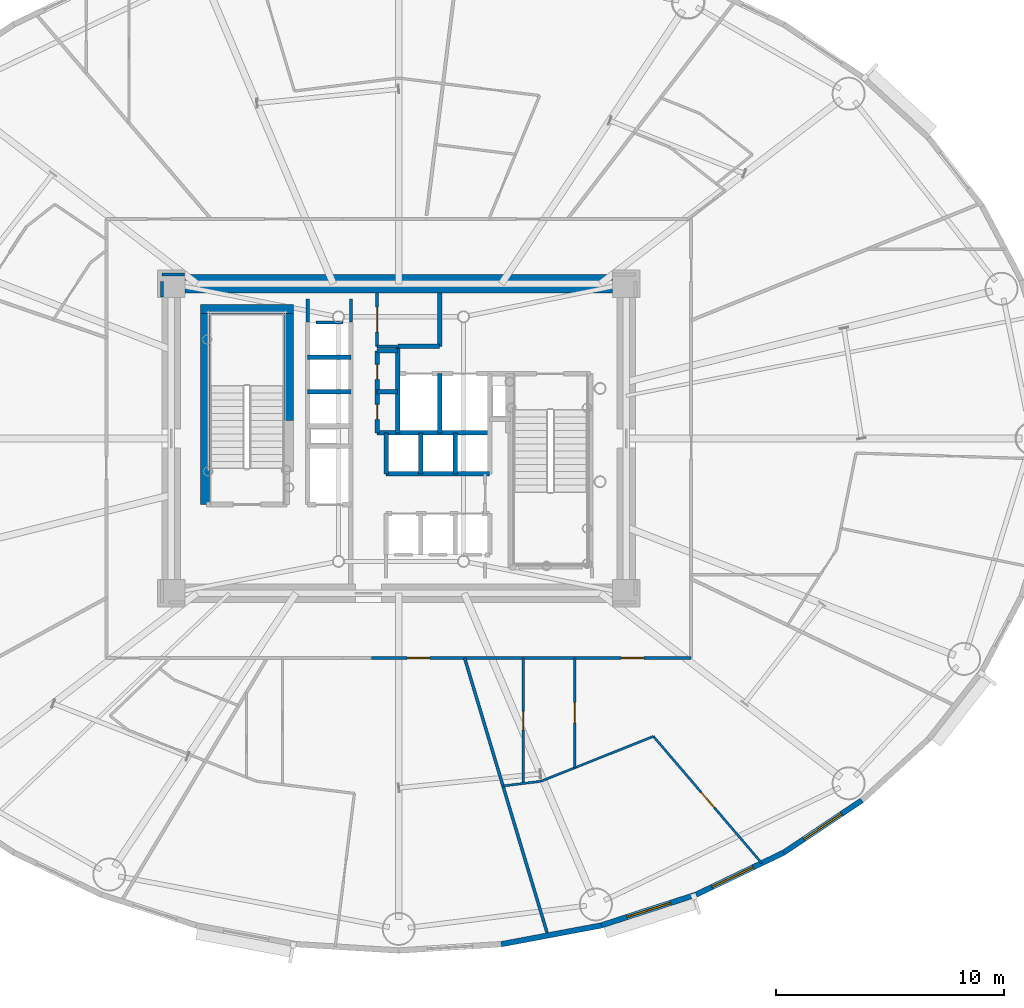
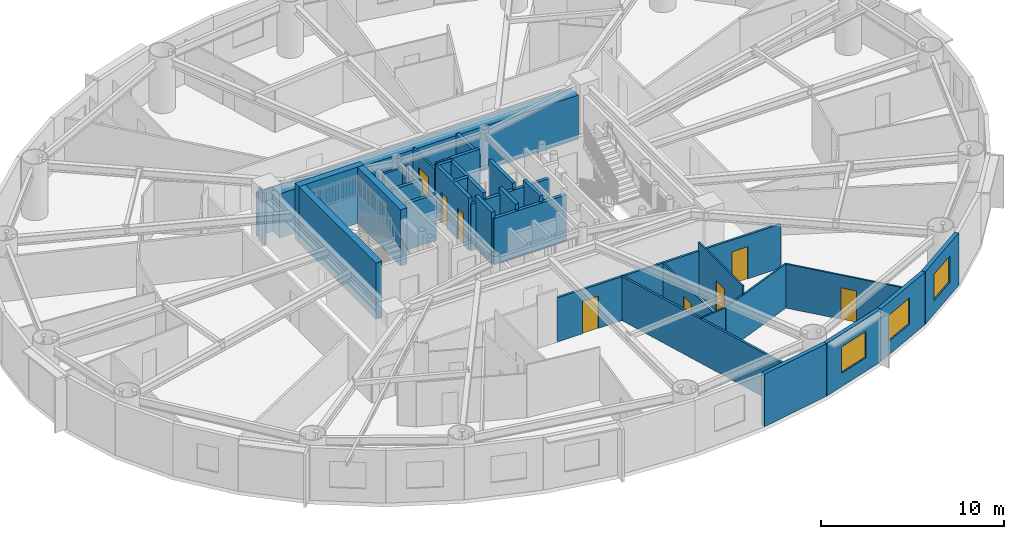
# One storey, part 11 of 21: 36 walls, 8 doors, 3 windows, 11 openings.
"""IFC4 building model written with IfcOpenShell, lengths in metres."""

from ifc_helpers import new_model, si_unit, direction, frame, frame_2d, origin, origin_2d, place, context, subcontext, project, spatial, rectangle, extrude, source, transform, mapped, material, layer, layer_set, type_object, element, fill, save


model = new_model("IFC4")

# Units and contexts
model_context = context("Model", 3, precision=1e-05, world=origin(), true_north=direction((0.0, 1.0)))
body_context = subcontext(model_context, "Body", "Model", "MODEL_VIEW")
ifc_project = project(units=[si_unit("LENGTHUNIT", "METRE"), si_unit("AREAUNIT", "SQUARE_METRE"), si_unit("VOLUMEUNIT", "CUBIC_METRE"), si_unit("PLANEANGLEUNIT", "RADIAN"), si_unit("MASSUNIT", "GRAM", prefix="KILO")], contexts=[model_context])

# Site, building, storey
site_placement = place(None, origin())
site = spatial("IfcSite", under=ifc_project, at=site_placement, CompositionType="ELEMENT")
building_placement = place(site_placement, origin())
building = spatial("IfcBuilding", under=site, at=building_placement, Name="Linh Dai School and Residence Tower", CompositionType="ELEMENT")
storey_placement = place(building_placement, frame((0.0, 0.0, 97.199951171875)))
storey = spatial("IfcBuildingStorey", under=building, at=storey_placement, Name="L22", CompositionType="ELEMENT", Elevation=97.199951171875)

# Wall
ifc_material_1 = material(Name="Precast Concrete B45 (C35/45)", Category="concrete")
ifc_layer_1 = layer(ifc_material_1, 0.239990234375)
ifc_layer_set_1 = layer_set([ifc_layer_1], Name="Precast Concrete B45 (C35/45)")
wall_type_1 = type_object("IfcWallType", Name="EW-TC-240", PredefinedType="SOLIDWALL", material=ifc_layer_set_1)
wall_1_placement = place(storey_placement, frame((44.899658203125, 5.5986328125, 0.0), z_axis=(0.0, 0.0, 1.0), x_axis=(-0.982789252177, -0.184730305596, 0.0)))
element("IfcWall", 1, at=wall_1_placement, inside=storey, type_object=wall_type_1, Name="L22 Terracotta Exterior Wall 32", PredefinedType="SOLIDWALL", context=body_context, shape_type="SweptSolid", body=[
    extrude(rectangle(XDim=4.470947265625, YDim=0.239990234375, at=frame_2d((2.2353515625, 0.0))), origin(), (0.0, 0.0, 1.0), 3.5),
])

# Wall, opening, window
wall_2_placement = place(storey_placement, frame((49.073974609375, 6.95263671875, 0.0), z_axis=(0.0, 0.0, 1.0), x_axis=(-0.951211346073, -0.308540070495, 0.0)))
wall_2 = element("IfcWall", 2, at=wall_2_placement, inside=storey, type_object=wall_type_1, Name="L22 Terracotta Exterior Wall 33", PredefinedType="SOLIDWALL", context=body_context, shape_type="SweptSolid", body=[
    extrude(rectangle(XDim=4.388427734375, YDim=0.239990234375, at=frame_2d((2.1943359375, 0.0))), origin(), (0.0, 0.0, 1.0), 3.5),
])
opening_1_placement = place(wall_2_placement, frame((1.1943359375, 0.0, 0.89990234375)))
opening_1 = element("IfcOpeningElement", 3, at=opening_1_placement, cuts=wall_2, Name="Opening W1", PredefinedType="OPENING", context=body_context, shape_type="SweptSolid", body=[
    extrude(rectangle(XDim=2.0, YDim=1.75, at=origin_2d()), frame((1.0, 0.1298828125, 0.875), z_axis=(0.0, -1.0, 0.0), x_axis=(1.0, 0.0, 0.0)), (0.0, 0.0, 1.0), 0.260009765625),
])
ifc_material_2 = material(Name="Double Low-E Insulated Glazing", Category="glass")
window_type = type_object("IfcWindowType", Name="WN-RES-2000x1750", PartitioningType="DOUBLE_PANEL_VERTICAL", PredefinedType="WINDOW", material=ifc_material_2)
shared_shape_1 = source(origin(), body_context, "Body", "SweptSolid", [
    extrude(rectangle(XDim=2.0, YDim=1.75, at=origin_2d()), frame((1.0, 0.030029296875, 0.875), z_axis=(0.0, -1.0, 0.0), x_axis=(1.0, 0.0, 0.0)), (0.0, 0.0, 1.0), 0.06005859375),
])
window_1_placement = place(opening_1_placement, origin())
window_1 = element("IfcWindow", 4, at=window_1_placement, inside=storey, type_object=window_type, Name="L22 Exterior Window 33.1", OverallHeight=1.75, OverallWidth=2.0, PartitioningType="DOUBLE_PANEL_VERTICAL", PredefinedType="WINDOW", context=body_context, shape_type="MappedRepresentation", body=[
    mapped(shared_shape_1, transform((0.0, 0.0, 0.0), x_axis=(1.0, 0.0, 0.0), y_axis=(0.0, 1.0, 0.0), z_axis=(0.0, 0.0, 1.0), scale=1.0)),
])
fill(opening_1, window_1)

wall_3_placement = place(storey_placement, frame((52.92529296875, 8.800537109375, 0.0), z_axis=(0.0, 0.0, 1.0), x_axis=(-0.901589935876, -0.432591709962, 0.0)))
wall_3 = element("IfcWall", 5, at=wall_3_placement, inside=storey, type_object=wall_type_1, Name="L22 Terracotta Exterior Wall 34", PredefinedType="SOLIDWALL", context=body_context, shape_type="SweptSolid", body=[
    extrude(rectangle(XDim=4.271728515625, YDim=0.239990234375, at=frame_2d((2.1357421875, 0.0))), origin(), (0.0, 0.0, 1.0), 3.5),
])
opening_2_placement = place(wall_3_placement, frame((1.4951171875, 0.0, 0.89990234375)))
opening_2 = element("IfcOpeningElement", 6, at=opening_2_placement, cuts=wall_3, Name="Opening W1", PredefinedType="OPENING", context=body_context, shape_type="SweptSolid", body=[
    extrude(rectangle(XDim=2.0, YDim=1.75, at=origin_2d()), frame((1.0, 0.1298828125, 0.875), z_axis=(0.0, -1.0, 0.0), x_axis=(1.0, 0.0, 0.0)), (0.0, 0.0, 1.0), 0.260009765625),
])
window_2_placement = place(opening_2_placement, origin())
window_2 = element("IfcWindow", 7, at=window_2_placement, inside=storey, type_object=window_type, Name="L22 Exterior Window 34.1", OverallHeight=1.75, OverallWidth=2.0, PartitioningType="DOUBLE_PANEL_VERTICAL", PredefinedType="WINDOW", context=body_context, shape_type="MappedRepresentation", body=[
    mapped(shared_shape_1, transform((0.0, 0.0, 0.0), x_axis=(1.0, 0.0, 0.0), y_axis=(0.0, 1.0, 0.0), z_axis=(0.0, 0.0, 1.0), scale=1.0)),
])
fill(opening_2, window_2)

wall_4_placement = place(storey_placement, frame((56.3583984375, 11.0966796875, 0.0), z_axis=(0.0, 0.0, 1.0), x_axis=(-0.831221811447, -0.555940914284, 0.0)))
wall_4 = element("IfcWall", 8, at=wall_4_placement, inside=storey, type_object=wall_type_1, Name="L22 Terracotta Exterior Wall 35", PredefinedType="SOLIDWALL", context=body_context, shape_type="SweptSolid", body=[
    extrude(rectangle(XDim=4.130126953125, YDim=0.239990234375, at=frame_2d((2.06494140625, 0.0))), origin(), (0.0, 0.0, 1.0), 3.5),
])
opening_3_placement = place(wall_4_placement, frame((1.065185546875, 0.0, 0.89990234375)))
opening_3 = element("IfcOpeningElement", 9, at=opening_3_placement, cuts=wall_4, Name="Opening W1", PredefinedType="OPENING", context=body_context, shape_type="SweptSolid", body=[
    extrude(rectangle(XDim=2.0, YDim=1.75, at=origin_2d()), frame((1.0, 0.1298828125, 0.875), z_axis=(0.0, -1.0, 0.0), x_axis=(1.0, 0.0, 0.0)), (0.0, 0.0, 1.0), 0.260009765625),
])
window_3_placement = place(opening_3_placement, origin())
window_3 = element("IfcWindow", 10, at=window_3_placement, inside=storey, type_object=window_type, Name="L22 Exterior Window 35.1", OverallHeight=1.75, OverallWidth=2.0, PartitioningType="DOUBLE_PANEL_VERTICAL", PredefinedType="WINDOW", context=body_context, shape_type="MappedRepresentation", body=[
    mapped(shared_shape_1, transform((0.0, 0.0, 0.0), x_axis=(1.0, 0.0, 0.0), y_axis=(0.0, 1.0, 0.0), z_axis=(0.0, 0.0, 1.0), scale=1.0)),
])
fill(opening_3, window_3)

# Wall, openings, doors
ifc_material_3 = material(Name="Autoclaved Aerated Concrete Blockwork", Category="masonry")
ifc_layer_2 = layer(ifc_material_3, 0.135009765625)
ifc_layer_set_2 = layer_set([ifc_layer_2], Name="Autoclaved Aerated Concrete Blockwork")
wall_type_2 = type_object("IfcWallType", Name="IW-CORR-135-EI90", PredefinedType="PARTITIONING", material=ifc_layer_set_2)
wall_5_placement = place(storey_placement, frame((34.794921875, 17.35009765625, 0.0), z_axis=(0.0, 0.0, 1.0), x_axis=(1.0, 0.0, 0.0)))
wall_5 = element("IfcWall", 11, at=wall_5_placement, inside=storey, type_object=wall_type_2, Name="L22 Interior Partition Wall 041", PredefinedType="PARTITIONING", context=body_context, shape_type="SweptSolid", body=[
    extrude(rectangle(XDim=14.05517578125, YDim=0.135009765625, at=frame_2d((7.027587890625, 0.0))), origin(), (0.0, 0.0, 1.0), 2.93505859375),
])
opening_4_placement = place(wall_5_placement, frame((1.570556640625, 0.0, 0.0)))
opening_4 = element("IfcOpeningElement", 12, at=opening_4_placement, cuts=wall_5, Name="Opening D03", PredefinedType="OPENING", context=body_context, shape_type="SweptSolid", body=[
    extrude(rectangle(XDim=1.0, YDim=2.14990234375, at=origin_2d()), frame((0.5, 0.07763671875, 1.074951171875), z_axis=(0.0, -1.0, 0.0), x_axis=(1.0, 0.0, 0.0)), (0.0, 0.0, 1.0), 0.155029296875),
])
opening_5_placement = place(wall_5_placement, frame((10.97607421875, 0.0, 0.0)))
opening_5 = element("IfcOpeningElement", 13, at=opening_5_placement, cuts=wall_5, Name="Opening D03", PredefinedType="OPENING", context=body_context, shape_type="SweptSolid", body=[
    extrude(rectangle(XDim=1.0, YDim=2.14990234375, at=origin_2d()), frame((0.5, 0.07763671875, 1.074951171875), z_axis=(0.0, -1.0, 0.0), x_axis=(1.0, 0.0, 0.0)), (0.0, 0.0, 1.0), 0.155029296875),
])
ifc_material_4 = material(Name="Fire-Rated Solid Timber Entrance Door", Category="wood")
door_type_1 = type_object("IfcDoorType", Name="DR-FLAT-1000x2150-FD60S", OperationType="NOTDEFINED", PredefinedType="DOOR", material=ifc_material_4)
shared_shape_2 = source(origin(), body_context, "Body", "SweptSolid", [
    extrude(rectangle(XDim=1.0, YDim=2.14990234375, at=origin_2d()), frame((0.5, 0.02490234375, 1.074951171875), z_axis=(0.0, -1.0, 0.0), x_axis=(1.0, 0.0, 0.0)), (0.0, 0.0, 1.0), 0.050048828125),
])
door_1_placement = place(opening_4_placement, origin())
door_1 = element("IfcDoor", 14, at=door_1_placement, inside=storey, type_object=door_type_1, Name="L22 U2207 Apartment Entrance Door", OperationType="SINGLE_SWING_RIGHT", OverallHeight=2.14990234375, OverallWidth=1.0, PredefinedType="DOOR", context=body_context, shape_type="MappedRepresentation", body=[
    mapped(shared_shape_2, transform((0.0, 0.0, 0.0), x_axis=(1.0, 0.0, 0.0), y_axis=(0.0, 1.0, 0.0), z_axis=(0.0, 0.0, 1.0), scale=1.0)),
])
fill(opening_4, door_1)
door_2_placement = place(opening_5_placement, origin())
door_2 = element("IfcDoor", 15, at=door_2_placement, inside=storey, type_object=door_type_1, Name="L22 U2208 Apartment Entrance Door", OperationType="SINGLE_SWING_RIGHT", OverallHeight=2.14990234375, OverallWidth=1.0, PredefinedType="DOOR", context=body_context, shape_type="MappedRepresentation", body=[
    mapped(shared_shape_2, transform((0.0, 0.0, 0.0), x_axis=(1.0, 0.0, 0.0), y_axis=(0.0, 1.0, 0.0), z_axis=(0.0, 0.0, 1.0), scale=1.0)),
])
fill(opening_5, door_2)

# Wall, opening, door
wall_6_placement = place(storey_placement, frame((35.050048828125, 31.050048828125, 0.0), z_axis=(0.0, 0.0, 1.0), x_axis=(0.0, 1.0, 0.0)))
wall_6 = element("IfcWall", 16, at=wall_6_placement, inside=storey, type_object=wall_type_2, Name="L22 Interior Partition Wall 046", PredefinedType="PARTITIONING", context=body_context, shape_type="SweptSolid", body=[
    extrude(rectangle(XDim=2.349853515625, YDim=0.135009765625, at=frame_2d((1.1748046875, 0.0))), origin(), (0.0, 0.0, 1.0), 3.0849609375),
])
opening_6_placement = place(wall_6_placement, frame((0.625, 0.0, 0.0)))
opening_6 = element("IfcOpeningElement", 17, at=opening_6_placement, cuts=wall_6, Name="Opening D07", PredefinedType="OPENING", context=body_context, shape_type="SweptSolid", body=[
    extrude(rectangle(XDim=1.10009765625, YDim=2.14990234375, at=origin_2d()), frame((0.550048828125, 0.07763671875, 1.074951171875), z_axis=(0.0, -1.0, 0.0), x_axis=(1.0, 0.0, 0.0)), (0.0, 0.0, 1.0), 0.155029296875),
])
ifc_material_5 = material(Name="Fire-Rated Louvred Steel Plant Door", Category="steel")
door_type_2 = type_object("IfcDoorType", Name="DR-PLT-1100x2150-FD60S", OperationType="NOTDEFINED", PredefinedType="DOOR", material=ifc_material_5)
shared_shape_3 = source(origin(), body_context, "Body", "SweptSolid", [
    extrude(rectangle(XDim=1.10009765625, YDim=2.14990234375, at=origin_2d()), frame((0.550048828125, 0.02490234375, 1.074951171875), z_axis=(0.0, -1.0, 0.0), x_axis=(1.0, 0.0, 0.0)), (0.0, 0.0, 1.0), 0.050048828125),
])
door_3_placement = place(opening_6_placement, origin())
door_3 = element("IfcDoor", 18, at=door_3_placement, inside=storey, type_object=door_type_2, Name="L22 North BMS Switchroom Door", OperationType="SINGLE_SWING_LEFT", OverallHeight=2.14990234375, OverallWidth=1.10009765625, PredefinedType="DOOR", context=body_context, shape_type="MappedRepresentation", body=[
    mapped(shared_shape_3, transform((0.0, 0.0, 0.0), x_axis=(1.0, 0.0, 0.0), y_axis=(0.0, 1.0, 0.0), z_axis=(0.0, 0.0, 1.0), scale=1.0)),
])
fill(opening_6, door_3)

# Walls
wall_7_placement = place(storey_placement, frame((35.050048828125, 31.050048828125, 0.0), z_axis=(0.0, 0.0, 1.0), x_axis=(1.0, 0.0, 0.0)))
element("IfcWall", 19, at=wall_7_placement, inside=storey, type_object=wall_type_2, Name="L22 Interior Partition Wall 047", PredefinedType="PARTITIONING", context=body_context, shape_type="SweptSolid", body=[
    extrude(rectangle(XDim=0.89990234375, YDim=0.135009765625, at=frame_2d((0.449951171875, 0.0))), origin(), (0.0, 0.0, 1.0), 3.5),
])
wall_8_placement = place(storey_placement, frame((38.896240234375, 17.35009765625, 0.0), z_axis=(0.0, 0.0, 1.0), x_axis=(0.287463970392, -0.957791452105, 0.0)))
element("IfcWall", 20, at=wall_8_placement, inside=storey, type_object=wall_type_2, Name="L22 Interior Partition Wall 065", PredefinedType="PARTITIONING", context=body_context, shape_type="SweptSolid", body=[
    extrude(rectangle(XDim=12.734375, YDim=0.135009765625, at=frame_2d((6.3671875, 0.0))), origin(), (0.0, 0.0, 1.0), 2.93505859375),
])
wall_9_placement = place(storey_placement, frame((32.360107421875, 32.10009765625, 0.0), z_axis=(0.0, 0.0, 1.0), x_axis=(1.0, 0.0, 0.0)))
element("IfcWall", 21, at=wall_9_placement, inside=storey, type_object=wall_type_2, Name="L22 Interior Partition Wall 101", PredefinedType="PARTITIONING", context=body_context, shape_type="SweptSolid", body=[
    extrude(rectangle(XDim=1.179931640625, YDim=0.135009765625, at=frame_2d((0.58984375, 0.0))), origin(), (0.0, 0.0, 1.0), 3.0849609375),
])
wall_10_placement = place(storey_placement, frame((32.0, 33.139892578125, 0.0), z_axis=(0.0, 0.0, 1.0), x_axis=(0.0, -1.0, 0.0)))
element("IfcWall", 22, at=wall_10_placement, inside=storey, type_object=wall_type_2, Name="L22 Interior Partition Wall 103", PredefinedType="PARTITIONING", context=body_context, shape_type="SweptSolid", body=[
    extrude(rectangle(XDim=1.02978515625, YDim=0.135009765625, at=frame_2d((0.514892578125, 0.0))), origin(), (0.0, 0.0, 1.0), 3.03515625),
])
wall_11_placement = place(storey_placement, frame((33.89990234375, 32.110107421875, 0.0), z_axis=(0.0, 0.0, 1.0), x_axis=(0.0, 1.0, 0.0)))
element("IfcWall", 23, at=wall_11_placement, inside=storey, type_object=wall_type_2, Name="L22 Interior Partition Wall 106", PredefinedType="PARTITIONING", context=body_context, shape_type="SweptSolid", body=[
    extrude(rectangle(XDim=1.02978515625, YDim=0.135009765625, at=frame_2d((0.514892578125, 0.0))), origin(), (0.0, 0.0, 1.0), 3.0849609375),
])
wall_12_placement = place(storey_placement, frame((26.590087890625, 34.199951171875, 0.0), z_axis=(0.0, 0.0, 1.0), x_axis=(-1.0, 0.0, 0.0)))
element("IfcWall", 24, at=wall_12_placement, inside=storey, type_object=wall_type_2, Name="L22 Interior Partition Wall 110", PredefinedType="PARTITIONING", context=body_context, shape_type="SweptSolid", body=[
    extrude(rectangle(XDim=0.989990234375, YDim=0.135009765625, at=frame_2d((0.4951171875, 0.0))), origin(), (0.0, 0.0, 1.0), 2.93505859375),
])
wall_13_placement = place(storey_placement, frame((25.60009765625, 33.892578125, 0.0), z_axis=(0.0, 0.0, 1.0), x_axis=(0.0, -1.0, 0.0)))
element("IfcWall", 25, at=wall_13_placement, inside=storey, type_object=wall_type_2, Name="L22 Interior Partition Wall 111", PredefinedType="PARTITIONING", context=body_context, shape_type="SweptSolid", body=[
    extrude(rectangle(XDim=0.6826171875, YDim=0.135009765625, at=frame_2d((0.34130859375, 0.0))), origin(), (0.0, 0.0, 1.0), 3.5),
])
ifc_material_6 = material(Name="Concrete B45 (C35/45)", Category="concrete")
ifc_layer_3 = layer(ifc_material_6, 0.199951171875)
ifc_layer_set_3 = layer_set([ifc_layer_3], Name="Concrete B45 (C35/45)")
wall_type_3 = type_object("IfcWallType", Name="IW-SHAFT-200-EI120", PredefinedType="PARTITIONING", material=ifc_layer_set_3)
for number, where, z_axis, x_axis, name in (
    (26, (32.0, 29.06005859375, 0.0), (0.0, 0.0, 1.0), (1.0, 0.0, 0.0), "L22 Interior Partition Wall 037"),
    (27, (32.0, 30.580078125, 0.0), (0.0, 0.0, 1.0), (1.0, 0.0, 0.0), "L22 Interior Partition Wall 038"),
):
    element("IfcWall", number, at=place(storey_placement, frame(where, z_axis=z_axis, x_axis=x_axis)), inside=storey, type_object=wall_type_3, Name=name, PredefinedType="PARTITIONING", context=body_context, shape_type="SweptSolid", body=[
        extrude(rectangle(XDim=1.89990234375, YDim=0.199951171875, at=frame_2d((0.949951171875, 0.0))), origin(), (0.0, 0.0, 1.0), 3.0849609375),
    ])

# Wall, openings, doors
wall_14_placement = place(storey_placement, frame((35.050048828125, 27.25, 0.0), z_axis=(0.0, 0.0, 1.0), x_axis=(0.0, 1.0, 0.0)))
wall_14 = element("IfcWall", 28, at=wall_14_placement, inside=storey, type_object=wall_type_3, Name="L22 Interior Partition Wall 042", PredefinedType="PARTITIONING", context=body_context, shape_type="SweptSolid", body=[
    extrude(rectangle(XDim=3.60009765625, YDim=0.199951171875, at=frame_2d((1.800048828125, 0.0))), origin(), (0.0, 0.0, 1.0), 3.5),
])
opening_7_placement = place(wall_14_placement, frame((0.590087890625, 0.0, 0.0)))
opening_7 = element("IfcOpeningElement", 29, at=opening_7_placement, cuts=wall_14, Name="Opening AD1", PredefinedType="OPENING", context=body_context, shape_type="SweptSolid", body=[
    extrude(rectangle(XDim=0.659912109375, YDim=2.050048828125, at=origin_2d()), frame((0.330078125, 0.10986328125, 1.02490234375), z_axis=(0.0, -1.0, 0.0), x_axis=(1.0, 0.0, 0.0)), (0.0, 0.0, 1.0), 0.219970703125),
])
opening_8_placement = place(wall_14_placement, frame((2.35009765625, 0.0, 0.0)))
opening_8 = element("IfcOpeningElement", 30, at=opening_8_placement, cuts=wall_14, Name="Opening AD1", PredefinedType="OPENING", context=body_context, shape_type="SweptSolid", body=[
    extrude(rectangle(XDim=0.659912109375, YDim=2.050048828125, at=origin_2d()), frame((0.330078125, 0.10986328125, 1.02490234375), z_axis=(0.0, -1.0, 0.0), x_axis=(1.0, 0.0, 0.0)), (0.0, 0.0, 1.0), 0.219970703125),
])
ifc_material_7 = material(Name="Fire-Rated Steel Riser Access Door", Category="steel")
door_type_3 = type_object("IfcDoorType", Name="DR-ACC-660x2050-FD90S", OperationType="NOTDEFINED", PredefinedType="USERDEFINED", material=ifc_material_7)
shared_shape_4 = source(origin(), body_context, "Body", "SweptSolid", [
    extrude(rectangle(XDim=0.659912109375, YDim=2.050048828125, at=origin_2d()), frame((0.330078125, 0.02490234375, 1.02490234375), z_axis=(0.0, -1.0, 0.0), x_axis=(1.0, 0.0, 0.0)), (0.0, 0.0, 1.0), 0.050048828125),
])
door_4_placement = place(opening_7_placement, origin())
door_4 = element("IfcDoor", 31, at=door_4_placement, inside=storey, type_object=door_type_3, Name="L22 Telecom and Data Riser Access Door", ObjectType="ACCESS DOOR", OperationType="SINGLE_SWING_LEFT", OverallHeight=2.050048828125, OverallWidth=0.659912109375, PredefinedType="USERDEFINED", context=body_context, shape_type="MappedRepresentation", body=[
    mapped(shared_shape_4, transform((0.0, 0.0, 0.0), x_axis=(1.0, 0.0, 0.0), y_axis=(0.0, 1.0, 0.0), z_axis=(0.0, 0.0, 1.0), scale=1.0)),
])
fill(opening_7, door_4)
door_5_placement = place(opening_8_placement, origin())
door_5 = element("IfcDoor", 32, at=door_5_placement, inside=storey, type_object=door_type_3, Name="L22 Mechanical and Plumbing Riser Access Door", ObjectType="ACCESS DOOR", OperationType="SINGLE_SWING_RIGHT", OverallHeight=2.050048828125, OverallWidth=0.659912109375, PredefinedType="USERDEFINED", context=body_context, shape_type="MappedRepresentation", body=[
    mapped(shared_shape_4, transform((0.0, 0.0, 0.0), x_axis=(1.0, 0.0, 0.0), y_axis=(0.0, 1.0, 0.0), z_axis=(0.0, 0.0, 1.0), scale=1.0)),
])
fill(opening_8, door_5)

# Walls
wall_15_placement = place(storey_placement, frame((35.050048828125, 27.25, 0.0), z_axis=(0.0, 0.0, 1.0), x_axis=(1.0, 0.0, 0.0)))
element("IfcWall", 33, at=wall_15_placement, inside=storey, type_object=wall_type_3, Name="L22 Interior Partition Wall 043", PredefinedType="PARTITIONING", context=body_context, shape_type="SweptSolid", body=[
    extrude(rectangle(XDim=4.949951171875, YDim=0.199951171875, at=frame_2d((2.47509765625, 0.0))), origin(), (0.0, 0.0, 1.0), 3.0849609375),
])
for number, where, z_axis, x_axis, name in (
    (34, (35.050048828125, 29.050048828125, 0.0), (0.0, 0.0, 1.0), (1.0, 0.0, 0.0), "L22 Interior Partition Wall 044"),
    (35, (35.050048828125, 30.85009765625, 0.0), (0.0, 0.0, 1.0), (1.0, 0.0, 0.0), "L22 Interior Partition Wall 045"),
):
    element("IfcWall", number, at=place(storey_placement, frame(where, z_axis=z_axis, x_axis=x_axis)), inside=storey, type_object=wall_type_3, Name=name, PredefinedType="PARTITIONING", context=body_context, shape_type="SweptSolid", body=[
        extrude(rectangle(XDim=0.89990234375, YDim=0.199951171875, at=frame_2d((0.449951171875, 0.0))), origin(), (0.0, 0.0, 1.0), 3.5),
    ])
wall_16_placement = place(storey_placement, frame((35.449951171875, 25.449951171875, 0.0), z_axis=(0.0, 0.0, 1.0), x_axis=(0.0, 1.0, 0.0)))
element("IfcWall", 36, at=wall_16_placement, inside=storey, type_object=wall_type_3, Name="L22 Interior Partition Wall 050", PredefinedType="PARTITIONING", context=body_context, shape_type="SweptSolid", body=[
    extrude(rectangle(XDim=1.800048828125, YDim=0.199951171875, at=frame_2d((0.89990234375, 0.0))), origin(), (0.0, 0.0, 1.0), 3.5),
])
wall_17_placement = place(storey_placement, frame((35.449951171875, 25.449951171875, 0.0), z_axis=(0.0, 0.0, 1.0), x_axis=(1.0, 0.0, 0.0)))
element("IfcWall", 37, at=wall_17_placement, inside=storey, type_object=wall_type_3, Name="L22 Interior Partition Wall 051", PredefinedType="PARTITIONING", context=body_context, shape_type="SweptSolid", body=[
    extrude(rectangle(XDim=4.550048828125, YDim=0.199951171875, at=frame_2d((2.27490234375, 0.0))), origin(), (0.0, 0.0, 1.0), 3.0849609375),
])
wall_18_placement = place(storey_placement, frame((35.949951171875, 27.25, 0.0), z_axis=(0.0, 0.0, 1.0), x_axis=(0.0, 1.0, 0.0)))
element("IfcWall", 38, at=wall_18_placement, inside=storey, type_object=wall_type_3, Name="L22 Interior Partition Wall 052", PredefinedType="PARTITIONING", context=body_context, shape_type="SweptSolid", body=[
    extrude(rectangle(XDim=3.800048828125, YDim=0.199951171875, at=frame_2d((1.89990234375, 0.0))), origin(), (0.0, 0.0, 1.0), 3.5),
])
wall_19_placement = place(storey_placement, frame((35.9599609375, 31.050048828125, 0.0), z_axis=(0.0, 0.0, 1.0), x_axis=(1.0, 0.0, 0.0)))
element("IfcWall", 39, at=wall_19_placement, inside=storey, type_object=wall_type_3, Name="L22 Interior Partition Wall 054", PredefinedType="PARTITIONING", context=body_context, shape_type="SweptSolid", body=[
    extrude(rectangle(XDim=1.840087890625, YDim=0.199951171875, at=frame_2d((0.919921875, 0.0))), origin(), (0.0, 0.0, 1.0), 3.5),
])
wall_20_placement = place(storey_placement, frame((36.9599609375, 25.449951171875, 0.0), z_axis=(0.0, 0.0, 1.0), x_axis=(0.0, 1.0, 0.0)))
element("IfcWall", 40, at=wall_20_placement, inside=storey, type_object=wall_type_3, Name="L22 Interior Partition Wall 057", PredefinedType="PARTITIONING", context=body_context, shape_type="SweptSolid", body=[
    extrude(rectangle(XDim=1.800048828125, YDim=0.199951171875, at=frame_2d((0.89990234375, 0.0))), origin(), (0.0, 0.0, 1.0), 3.5),
])
wall_21_placement = place(storey_placement, frame((37.800048828125, 27.25, 0.0), z_axis=(0.0, 0.0, 1.0), x_axis=(0.0, 1.0, 0.0)))
element("IfcWall", 41, at=wall_21_placement, inside=storey, type_object=wall_type_3, Name="L22 Interior Partition Wall 061", PredefinedType="PARTITIONING", context=body_context, shape_type="SweptSolid", body=[
    extrude(rectangle(XDim=2.60009765625, YDim=0.199951171875, at=frame_2d((1.300048828125, 0.0))), origin(), (0.0, 0.0, 1.0), 3.5),
])
wall_22_placement = place(storey_placement, frame((37.800048828125, 31.050048828125, 0.0), z_axis=(0.0, 0.0, 1.0), x_axis=(0.0, 1.0, 0.0)))
element("IfcWall", 42, at=wall_22_placement, inside=storey, type_object=wall_type_3, Name="L22 Interior Partition Wall 062", PredefinedType="PARTITIONING", context=body_context, shape_type="SweptSolid", body=[
    extrude(rectangle(XDim=2.349853515625, YDim=0.199951171875, at=frame_2d((1.1748046875, 0.0))), origin(), (0.0, 0.0, 1.0), 3.0849609375),
])
wall_23_placement = place(storey_placement, frame((38.47998046875, 25.449951171875, 0.0), z_axis=(0.0, 0.0, 1.0), x_axis=(0.0, 1.0, 0.0)))
element("IfcWall", 43, at=wall_23_placement, inside=storey, type_object=wall_type_3, Name="L22 Interior Partition Wall 064", PredefinedType="PARTITIONING", context=body_context, shape_type="SweptSolid", body=[
    extrude(rectangle(XDim=1.800048828125, YDim=0.199951171875, at=frame_2d((0.89990234375, 0.0))), origin(), (0.0, 0.0, 1.0), 3.5),
])
ifc_material_8 = material(Name="Gypsum Plasterboard Acoustic Stud Partition", Category="masonry")
ifc_layer_4 = layer(ifc_material_8, 0.10009765625)
ifc_layer_set_4 = layer_set([ifc_layer_4], Name="Gypsum Plasterboard Acoustic Stud Partition")
wall_type_4 = type_object("IfcWallType", Name="IW-UNIT-100", PredefinedType="PARTITIONING", material=ifc_layer_set_4)
wall_24_placement = place(storey_placement, frame((40.583740234375, 11.7275390625, 0.0), z_axis=(0.0, 0.0, 1.0), x_axis=(0.992400317705, 0.123051247123, 0.0)))
element("IfcWall", 44, at=wall_24_placement, inside=storey, type_object=wall_type_4, Name="L22 Interior Partition Wall 072", PredefinedType="PARTITIONING", context=body_context, shape_type="SweptSolid", body=[
    extrude(rectangle(XDim=1.680419921875, YDim=0.10009765625, at=frame_2d((0.84033203125, 0.0))), origin(), (0.0, 0.0, 1.0), 2.93505859375),
])

# Wall, opening, door
wall_25_placement = place(storey_placement, frame((41.468505859375, 11.837158203125, 0.0), z_axis=(0.0, 0.0, 1.0), x_axis=(0.0, 1.0, 0.0)))
wall_25 = element("IfcWall", 45, at=wall_25_placement, inside=storey, type_object=wall_type_4, Name="L22 Interior Partition Wall 075", PredefinedType="PARTITIONING", context=body_context, shape_type="SweptSolid", body=[
    extrude(rectangle(XDim=5.512939453125, YDim=0.10009765625, at=frame_2d((2.75634765625, 0.0))), origin(), (0.0, 0.0, 1.0), 2.93505859375),
])
opening_9_placement = place(wall_25_placement, frame((2.346435546875, 0.0, 0.0)))
opening_9 = element("IfcOpeningElement", 46, at=opening_9_placement, cuts=wall_25, Name="Opening D06", PredefinedType="OPENING", context=body_context, shape_type="SweptSolid", body=[
    extrude(rectangle(XDim=0.820068359375, YDim=2.10009765625, at=origin_2d()), frame((0.41015625, 0.06005859375, 1.050048828125), z_axis=(0.0, -1.0, 0.0), x_axis=(1.0, 0.0, 0.0)), (0.0, 0.0, 1.0), 0.1201171875),
])
ifc_material_9 = material(Name="Moisture-Resistant Timber Bathroom Door", Category="wood")
door_type_4 = type_object("IfcDoorType", Name="DR-WET-820x2100", OperationType="NOTDEFINED", PredefinedType="DOOR", material=ifc_material_9)
shared_shape_5 = source(origin(), body_context, "Body", "SweptSolid", [
    extrude(rectangle(XDim=0.820068359375, YDim=2.10009765625, at=origin_2d()), frame((0.41015625, 0.02490234375, 1.050048828125), z_axis=(0.0, -1.0, 0.0), x_axis=(1.0, 0.0, 0.0)), (0.0, 0.0, 1.0), 0.050048828125),
])
door_6_placement = place(opening_9_placement, origin())
door_6 = element("IfcDoor", 47, at=door_6_placement, inside=storey, type_object=door_type_4, Name="L22 Apartment U2208 Bathroom 1 Door", OperationType="SINGLE_SWING_LEFT", OverallHeight=2.10009765625, OverallWidth=0.820068359375, PredefinedType="DOOR", context=body_context, shape_type="MappedRepresentation", body=[
    mapped(shared_shape_5, transform((0.0, 0.0, 0.0), x_axis=(1.0, 0.0, 0.0), y_axis=(0.0, 1.0, 0.0), z_axis=(0.0, 0.0, 1.0), scale=1.0)),
])
fill(opening_9, door_6)

# Wall
wall_26_placement = place(storey_placement, frame((42.25146484375, 11.934326171875, 0.0), z_axis=(0.0, 0.0, 1.0), x_axis=(0.928805351872, 0.370567967226, 0.0)))
element("IfcWall", 48, at=wall_26_placement, inside=storey, type_object=wall_type_4, Name="L22 Interior Partition Wall 076", PredefinedType="PARTITIONING", context=body_context, shape_type="SweptSolid", body=[
    extrude(rectangle(XDim=5.322021484375, YDim=0.10009765625, at=frame_2d((2.6611328125, 0.0))), origin(), (0.0, 0.0, 1.0), 2.93505859375),
])

# Wall, opening, door
wall_27_placement = place(storey_placement, frame((43.73193359375, 12.525146484375, 0.0), z_axis=(0.0, 0.0, 1.0), x_axis=(0.0, 1.0, 0.0)))
wall_27 = element("IfcWall", 49, at=wall_27_placement, inside=storey, type_object=wall_type_4, Name="L22 Interior Partition Wall 078", PredefinedType="PARTITIONING", context=body_context, shape_type="SweptSolid", body=[
    extrude(rectangle(XDim=4.824951171875, YDim=0.10009765625, at=frame_2d((2.41259765625, 0.0))), origin(), (0.0, 0.0, 1.0), 3.5),
])
opening_10_placement = place(wall_27_placement, frame((1.96240234375, 0.0, 0.0)))
opening_10 = element("IfcOpeningElement", 50, at=opening_10_placement, cuts=wall_27, Name="Opening D05", PredefinedType="OPENING", context=body_context, shape_type="SweptSolid", body=[
    extrude(rectangle(XDim=0.89990234375, YDim=2.10009765625, at=origin_2d()), frame((0.449951171875, 0.06005859375, 1.050048828125), z_axis=(0.0, -1.0, 0.0), x_axis=(1.0, 0.0, 0.0)), (0.0, 0.0, 1.0), 0.1201171875),
])
ifc_material_10 = material(Name="Engineered Timber Internal Door", Category="wood")
door_type_5 = type_object("IfcDoorType", Name="DR-INT-900x2100", OperationType="NOTDEFINED", PredefinedType="DOOR", material=ifc_material_10)
shared_shape_6 = source(origin(), body_context, "Body", "SweptSolid", [
    extrude(rectangle(XDim=0.89990234375, YDim=2.10009765625, at=origin_2d()), frame((0.449951171875, 0.02490234375, 1.050048828125), z_axis=(0.0, -1.0, 0.0), x_axis=(1.0, 0.0, 0.0)), (0.0, 0.0, 1.0), 0.050048828125),
])
door_7_placement = place(opening_10_placement, origin())
door_7 = element("IfcDoor", 51, at=door_7_placement, inside=storey, type_object=door_type_5, Name="L22 Apartment U2208 Kitchen Door", OperationType="SINGLE_SWING_RIGHT", OverallHeight=2.10009765625, OverallWidth=0.89990234375, PredefinedType="DOOR", context=body_context, shape_type="MappedRepresentation", body=[
    mapped(shared_shape_6, transform((0.0, 0.0, 0.0), x_axis=(1.0, 0.0, 0.0), y_axis=(0.0, 1.0, 0.0), z_axis=(0.0, 0.0, 1.0), scale=1.0)),
])
fill(opening_10, door_7)

wall_28_placement = place(storey_placement, frame((47.194580078125, 13.906494140625, 0.0), z_axis=(0.0, 0.0, 1.0), x_axis=(0.649828611722, -0.76008076899, 0.0)))
wall_28 = element("IfcWall", 52, at=wall_28_placement, inside=storey, type_object=wall_type_4, Name="L22 Interior Partition Wall 081", PredefinedType="PARTITIONING", context=body_context, shape_type="SweptSolid", body=[
    extrude(rectangle(XDim=7.333984375, YDim=0.10009765625, at=frame_2d((3.6669921875, 0.0))), origin(), (0.0, 0.0, 1.0), 2.93505859375),
])
opening_11_placement = place(wall_28_placement, frame((3.217041015625, 0.0, 0.0)))
opening_11 = element("IfcOpeningElement", 53, at=opening_11_placement, cuts=wall_28, Name="Opening D05", PredefinedType="OPENING", context=body_context, shape_type="SweptSolid", body=[
    extrude(rectangle(XDim=0.89990234375, YDim=2.10009765625, at=origin_2d()), frame((0.449951171875, 0.06005859375, 1.050048828125), z_axis=(0.0, -1.0, 0.0), x_axis=(1.0, 0.0, 0.0)), (0.0, 0.0, 1.0), 0.1201171875),
])
door_8_placement = place(opening_11_placement, origin())
door_8 = element("IfcDoor", 54, at=door_8_placement, inside=storey, type_object=door_type_5, Name="L22 Apartment U2208 Principal Bedroom 1 Door", OperationType="SINGLE_SWING_LEFT", OverallHeight=2.10009765625, OverallWidth=0.89990234375, PredefinedType="DOOR", context=body_context, shape_type="MappedRepresentation", body=[
    mapped(shared_shape_6, transform((0.0, 0.0, 0.0), x_axis=(1.0, 0.0, 0.0), y_axis=(0.0, 1.0, 0.0), z_axis=(0.0, 0.0, 1.0), scale=1.0)),
])
fill(opening_11, door_8)

# Walls
ifc_layer_5 = layer(ifc_material_6, 0.39990234375)
ifc_layer_set_5 = layer_set([ifc_layer_5], Name="Concrete B45 (C35/45)")
wall_type_5 = type_object("IfcWallType", Name="WL-CORE400", PredefinedType="SHEAR", material=ifc_layer_set_5)
wall_29_placement = place(storey_placement, frame((27.47998046875, 24.10009765625, 0.0), z_axis=(0.0, 0.0, 1.0), x_axis=(0.0, 1.0, 0.0)))
element("IfcWall", 55, at=wall_29_placement, inside=storey, type_object=wall_type_5, Name="L22 Core Stair ST1 Bearing Wall W", PredefinedType="SHEAR", context=body_context, shape_type="SweptSolid", body=[
    extrude(rectangle(XDim=8.599853515625, YDim=0.39990234375, at=frame_2d((4.2998046875, 0.0))), origin(), (0.0, 0.0, 1.0), 3.75),
])
wall_30_placement = place(storey_placement, frame((31.179931640625, 27.800048828125, 0.0), z_axis=(0.0, 0.0, 1.0), x_axis=(0.0, 1.0, 0.0)))
element("IfcWall", 56, at=wall_30_placement, inside=storey, type_object=wall_type_5, Name="L22 Core Stair ST1 Bearing Wall E", PredefinedType="SHEAR", context=body_context, shape_type="SweptSolid", body=[
    extrude(rectangle(XDim=4.89990234375, YDim=0.39990234375, at=frame_2d((2.449951171875, 0.0))), origin(), (0.0, 0.0, 1.0), 3.75),
])
wall_31_placement = place(storey_placement, frame((27.280029296875, 32.699951171875, 0.0), z_axis=(0.0, 0.0, 1.0), x_axis=(1.0, 0.0, 0.0)))
element("IfcWall", 57, at=wall_31_placement, inside=storey, type_object=wall_type_5, Name="L22 Core Stair ST1 Bearing Wall N", PredefinedType="SHEAR", context=body_context, shape_type="SweptSolid", body=[
    extrude(rectangle(XDim=4.099853515625, YDim=0.39990234375, at=frame_2d((2.0498046875, 0.0))), origin(), (0.0, 0.0, 1.0), 3.75),
])
ifc_material_11 = material(Name="Concrete B60 (C50/60)", Category="concrete")
ifc_layer_6 = layer(ifc_material_11, 0.800048828125)
ifc_layer_set_6 = layer_set([ifc_layer_6], Name="Concrete B60 (C50/60)")
wall_type_6 = type_object("IfcWallType", Name="WL-CORE800", PredefinedType="SHEAR", material=ifc_layer_set_6)
wall_32_placement = place(storey_placement, frame((26.60009765625, 33.800048828125, 0.0), z_axis=(0.0, 0.0, 1.0), x_axis=(1.0, 0.0, 0.0)))
element("IfcWall", 58, at=wall_32_placement, inside=storey, type_object=wall_type_6, Name="L22 Central Core Shear Wall N", PredefinedType="SHEAR", context=body_context, shape_type="SweptSolid", body=[
    extrude(rectangle(XDim=18.7998046875, YDim=0.800048828125, at=frame_2d((9.39990234375, 0.0))), origin(), (0.0, 0.0, 1.0), 2.949951171875),
])

save(model, "model.ifc")
